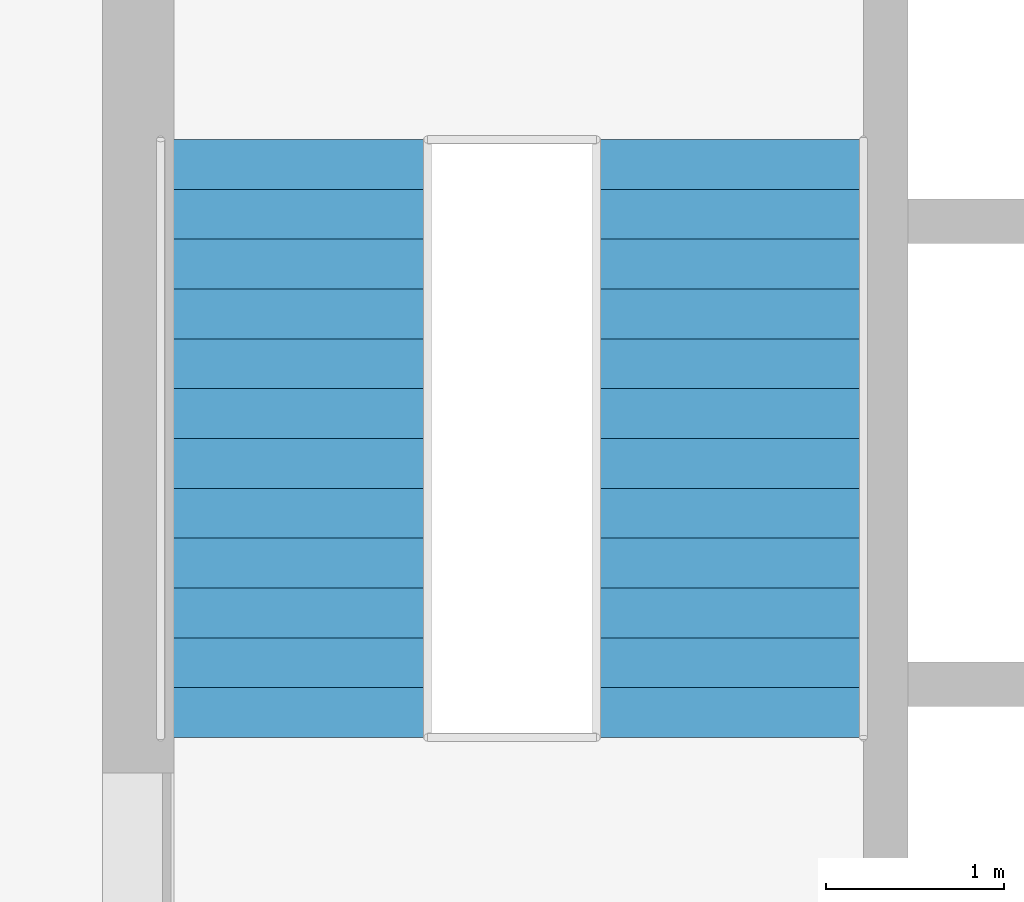
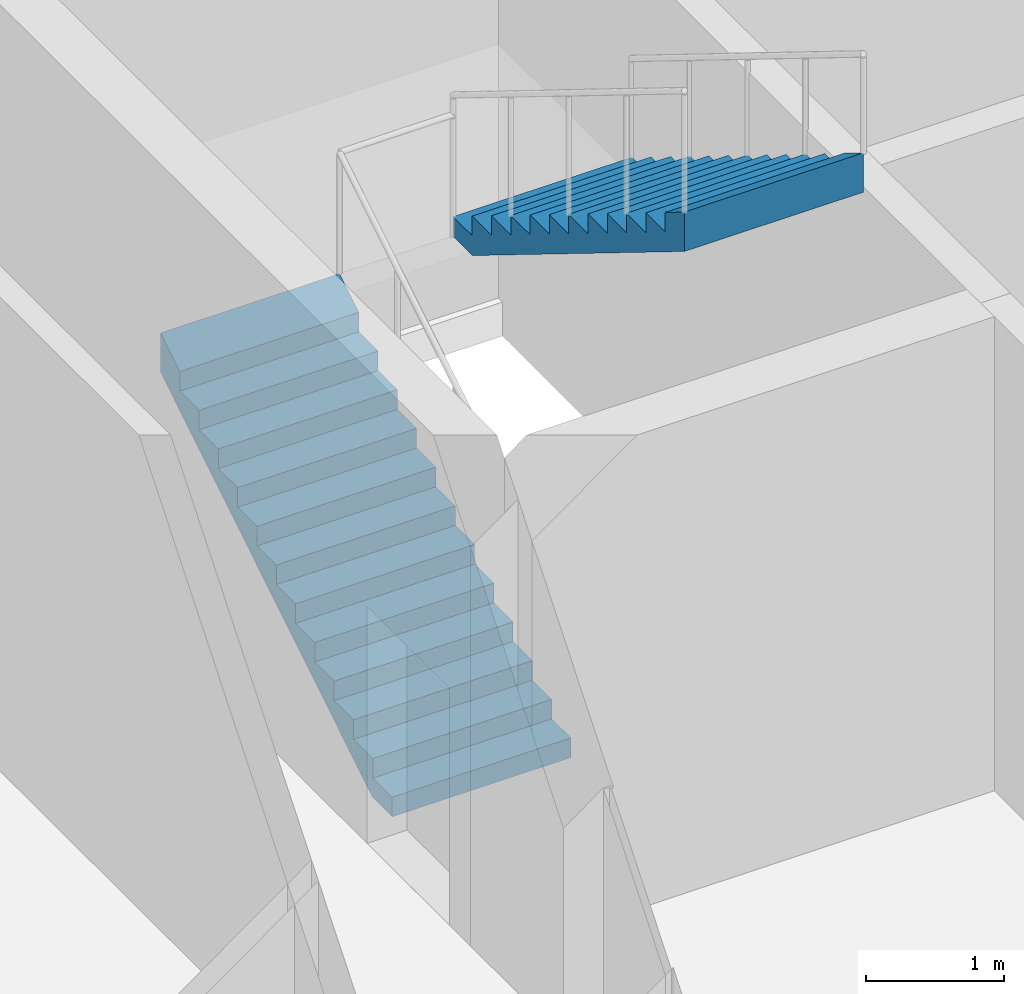
# One storey, part 10 of 13: 2 stair flights, 1 element without a shape of its own.
"""IFC4 building model written with IfcOpenShell, lengths in metres."""

from ifc_helpers import new_model, si_unit, direction, frame, origin, place, context, subcontext, project, spatial, triangles, material, type_object, element, aggregate, save


model = new_model("IFC4")

# Units and contexts
model_context = context("Model", 3, precision=1e-05, world=origin(), true_north=direction((0.0, 1.0)))
body_context = subcontext(model_context, "Body", "Model", "MODEL_VIEW")
ifc_project = project(units=[si_unit("LENGTHUNIT", "METRE"), si_unit("AREAUNIT", "SQUARE_METRE"), si_unit("VOLUMEUNIT", "CUBIC_METRE"), si_unit("PLANEANGLEUNIT", "RADIAN"), si_unit("MASSUNIT", "GRAM", prefix="KILO")], contexts=[model_context])

# Site, building, storey
site_placement = place(None, origin())
site = spatial("IfcSite", under=ifc_project, at=site_placement, CompositionType="ELEMENT")
building_placement = place(site_placement, origin())
building = spatial("IfcBuilding", under=site, at=building_placement, Name="Ludao Terraces", CompositionType="ELEMENT")
storey_placement = place(building_placement, frame((0.0, 0.0, 241.5)))
storey = spatial("IfcBuildingStorey", under=building, at=storey_placement, Name="L66", CompositionType="ELEMENT", Elevation=241.5)

# Stair, stair flights
ifc_material = material(Name="Concrete C40", Category="concrete")
stair_type = type_object("IfcStairType", Name="INT Stair", PredefinedType="HALF_TURN_STAIR", material=ifc_material)
stair_placement = place(storey_placement, origin())
stair = element("IfcStair", 1, at=stair_placement, inside=storey, type_object=stair_type, Name="EXIT STAIR 1", PredefinedType="HALF_TURN_STAIR")
stair_flight_type = type_object("IfcStairFlightType", Name="INT Stair flight", PredefinedType="STRAIGHT", material=ifc_material)
stair_flight_1_placement = place(storey_placement, frame((76.125, 79.0, 0.0), z_axis=(0.0, 0.0, 1.0), x_axis=(0.0, 1.0, 0.0)))
stair_flight_1 = element("IfcStairFlight", 2, at=stair_flight_1_placement, type_object=stair_flight_type, Name="ST1 flight 1", NumberOfRisers=13, NumberOfTreads=12, PredefinedType="STRAIGHT", RiserHeight=0.173077, TreadLength=0.28, context=body_context, shape_type="Tessellation", body=[
    triangles([(0.0, -0.75, 0.0), (0.0, -0.5, 0.0), (0.0, -0.25, 0.0), (0.0, 0.0, 0.0), (0.0, 0.25, 0.0), (0.0, 0.5, 0.0), (0.0, 0.75, 0.0), (0.0, -0.75, 0.173095703125), (0.0, -0.5, 0.173095703125), (0.0, -0.25, 0.173095703125), (0.0, 0.0, 0.173095703125), (0.0, 0.25, 0.173095703125), (0.0, 0.5, 0.173095703125), (0.0, 0.75, 0.173095703125), (0.280029296875, -0.75, 0.173095703125), (0.280029296875, -0.5, 0.173095703125), (0.280029296875, -0.25, 0.173095703125), (0.280029296875, 0.0, 0.173095703125), (0.280029296875, 0.25, 0.173095703125), (0.280029296875, 0.5, 0.173095703125), (0.280029296875, 0.75, 0.173095703125), (0.280029296875, -0.75, 0.34619140625), (0.280029296875, -0.5, 0.34619140625), (0.280029296875, -0.25, 0.34619140625), (0.280029296875, 0.0, 0.34619140625), (0.280029296875, 0.25, 0.34619140625), (0.280029296875, 0.5, 0.34619140625), (0.280029296875, 0.75, 0.34619140625), (0.56005859375, -0.75, 0.34619140625), (0.56005859375, -0.5, 0.34619140625), (0.56005859375, -0.25, 0.34619140625), (0.56005859375, 0.0, 0.34619140625), (0.56005859375, 0.25, 0.34619140625), (0.56005859375, 0.5, 0.34619140625), (0.56005859375, 0.75, 0.34619140625), (0.56005859375, -0.75, 0.519287109375), (0.56005859375, -0.5, 0.519287109375), (0.56005859375, -0.25, 0.519287109375), (0.56005859375, 0.0, 0.519287109375), (0.56005859375, 0.25, 0.519287109375), (0.56005859375, 0.5, 0.519287109375), (0.56005859375, 0.75, 0.519287109375), (0.840087890625, -0.75, 0.519287109375), (0.840087890625, -0.5, 0.519287109375), (0.840087890625, -0.25, 0.519287109375), (0.840087890625, 0.0, 0.519287109375), (0.840087890625, 0.25, 0.519287109375), (0.840087890625, 0.5, 0.519287109375), (0.840087890625, 0.75, 0.519287109375), (0.840087890625, -0.75, 0.6923828125), (0.840087890625, -0.5, 0.6923828125), (0.840087890625, -0.25, 0.6923828125), (0.840087890625, 0.0, 0.6923828125), (0.840087890625, 0.25, 0.6923828125), (0.840087890625, 0.5, 0.6923828125), (0.840087890625, 0.75, 0.6923828125), (1.1201171875, -0.75, 0.6923828125), (1.1201171875, -0.5, 0.6923828125), (1.1201171875, -0.25, 0.6923828125), (1.1201171875, 0.0, 0.6923828125), (1.1201171875, 0.25, 0.6923828125), (1.1201171875, 0.5, 0.6923828125), (1.1201171875, 0.75, 0.6923828125), (1.1201171875, -0.75, 0.865478515625), (1.1201171875, -0.5, 0.865478515625), (1.1201171875, -0.25, 0.865478515625), (1.1201171875, 0.0, 0.865478515625), (1.1201171875, 0.25, 0.865478515625), (1.1201171875, 0.5, 0.865478515625), (1.1201171875, 0.75, 0.865478515625), (1.39990234375, -0.75, 0.865478515625), (1.39990234375, -0.5, 0.865478515625), (1.39990234375, -0.25, 0.865478515625), (1.39990234375, 0.0, 0.865478515625), (1.39990234375, 0.25, 0.865478515625), (1.39990234375, 0.5, 0.865478515625), (1.39990234375, 0.75, 0.865478515625), (1.39990234375, -0.75, 1.03857421875), (1.39990234375, -0.5, 1.03857421875), (1.39990234375, -0.25, 1.03857421875), (1.39990234375, 0.0, 1.03857421875), (1.39990234375, 0.25, 1.03857421875), (1.39990234375, 0.5, 1.03857421875), (1.39990234375, 0.75, 1.03857421875), (1.679931640625, -0.75, 1.03857421875), (1.679931640625, -0.5, 1.03857421875), (1.679931640625, -0.25, 1.03857421875), (1.679931640625, 0.0, 1.03857421875), (1.679931640625, 0.25, 1.03857421875), (1.679931640625, 0.5, 1.03857421875), (1.679931640625, 0.75, 1.03857421875), (1.679931640625, -0.75, 1.21142578125), (1.679931640625, -0.5, 1.21142578125), (1.679931640625, -0.25, 1.21142578125), (1.679931640625, 0.0, 1.21142578125), (1.679931640625, 0.25, 1.21142578125), (1.679931640625, 0.5, 1.21142578125), (1.679931640625, 0.75, 1.21142578125), (1.9599609375, -0.75, 1.21142578125), (1.9599609375, -0.5, 1.21142578125), (1.9599609375, -0.25, 1.21142578125), (1.9599609375, 0.0, 1.21142578125), (1.9599609375, 0.25, 1.21142578125), (1.9599609375, 0.5, 1.21142578125), (1.9599609375, 0.75, 1.21142578125), (1.9599609375, -0.75, 1.384521484375), (1.9599609375, -0.5, 1.384521484375), (1.9599609375, -0.25, 1.384521484375), (1.9599609375, 0.0, 1.384521484375), (1.9599609375, 0.25, 1.384521484375), (1.9599609375, 0.5, 1.384521484375), (1.9599609375, 0.75, 1.384521484375), (2.239990234375, -0.75, 1.384521484375), (2.239990234375, -0.5, 1.384521484375), (2.239990234375, -0.25, 1.384521484375), (2.239990234375, 0.0, 1.384521484375), (2.239990234375, 0.25, 1.384521484375), (2.239990234375, 0.5, 1.384521484375), (2.239990234375, 0.75, 1.384521484375), (2.239990234375, -0.75, 1.5576171875), (2.239990234375, -0.5, 1.5576171875), (2.239990234375, -0.25, 1.5576171875), (2.239990234375, 0.0, 1.5576171875), (2.239990234375, 0.25, 1.5576171875), (2.239990234375, 0.5, 1.5576171875), (2.239990234375, 0.75, 1.5576171875), (2.52001953125, -0.75, 1.5576171875), (2.52001953125, -0.5, 1.5576171875), (2.52001953125, -0.25, 1.5576171875), (2.52001953125, 0.0, 1.5576171875), (2.52001953125, 0.25, 1.5576171875), (2.52001953125, 0.5, 1.5576171875), (2.52001953125, 0.75, 1.5576171875), (2.52001953125, -0.75, 1.730712890625), (2.52001953125, -0.5, 1.730712890625), (2.52001953125, -0.25, 1.730712890625), (2.52001953125, 0.0, 1.730712890625), (2.52001953125, 0.25, 1.730712890625), (2.52001953125, 0.5, 1.730712890625), (2.52001953125, 0.75, 1.730712890625), (2.800048828125, -0.75, 1.730712890625), (2.800048828125, -0.5, 1.730712890625), (2.800048828125, -0.25, 1.730712890625), (2.800048828125, 0.0, 1.730712890625), (2.800048828125, 0.25, 1.730712890625), (2.800048828125, 0.5, 1.730712890625), (2.800048828125, 0.75, 1.730712890625), (2.800048828125, -0.75, 1.90380859375), (2.800048828125, -0.5, 1.90380859375), (2.800048828125, -0.25, 1.90380859375), (2.800048828125, 0.0, 1.90380859375), (2.800048828125, 0.25, 1.90380859375), (2.800048828125, 0.5, 1.90380859375), (2.800048828125, 0.75, 1.90380859375), (3.080078125, -0.75, 1.90380859375), (3.080078125, -0.5, 1.90380859375), (3.080078125, -0.25, 1.90380859375), (3.080078125, 0.0, 1.90380859375), (3.080078125, 0.25, 1.90380859375), (3.080078125, 0.5, 1.90380859375), (3.080078125, 0.75, 1.90380859375), (3.080078125, -0.75, 2.076904296875), (3.080078125, -0.5, 2.076904296875), (3.080078125, -0.25, 2.076904296875), (3.080078125, 0.0, 2.076904296875), (3.080078125, 0.25, 2.076904296875), (3.080078125, 0.5, 2.076904296875), (3.080078125, 0.75, 2.076904296875), (3.360107421875, -0.75, 2.25), (3.360107421875, -0.5, 2.25), (3.360107421875, -0.25, 2.25), (3.360107421875, 0.0, 2.25), (3.360107421875, 0.25, 2.25), (3.360107421875, 0.5, 2.25), (3.360107421875, 0.75, 2.25), (3.360107421875, -0.75, 1.900634765625), (3.360107421875, -0.5, 1.900634765625), (3.360107421875, -0.25, 1.900634765625), (3.360107421875, 0.0, 1.900634765625), (3.360107421875, 0.25, 1.900634765625), (3.360107421875, 0.5, 1.900634765625), (3.360107421875, 0.75, 1.900634765625), (0.28515625, -0.75, 0.0), (0.28515625, -0.5, 0.0), (0.28515625, -0.25, 0.0), (0.28515625, 0.0, 0.0), (0.28515625, 0.25, 0.0), (0.28515625, 0.5, 0.0), (0.28515625, 0.75, 0.0)], [[1, 183, 176], [7, 182, 189], [176, 169, 162], [182, 168, 175], [176, 162, 155], [182, 161, 168], [176, 155, 148], [182, 154, 161], [176, 148, 141], [182, 147, 154], [141, 134, 127], [147, 133, 140], [176, 141, 127], [182, 133, 147], [127, 120, 113], [133, 119, 126], [176, 127, 113], [182, 119, 133], [113, 106, 99], [119, 105, 112], [176, 113, 99], [182, 105, 119], [1, 176, 99], [7, 105, 182], [99, 92, 85], [105, 91, 98], [85, 78, 71], [91, 77, 84], [99, 85, 71], [105, 77, 91], [71, 64, 57], [77, 63, 70], [99, 71, 57], [105, 63, 77], [57, 50, 43], [63, 49, 56], [99, 57, 43], [105, 49, 63], [43, 36, 29], [49, 35, 42], [99, 43, 29], [105, 35, 49], [29, 22, 15], [35, 21, 28], [99, 29, 15], [105, 21, 35], [1, 99, 15], [7, 21, 105], [15, 8, 1], [21, 7, 14], [1, 9, 2], [1, 8, 9], [2, 10, 3], [2, 9, 10], [3, 11, 4], [3, 10, 11], [4, 12, 5], [4, 11, 12], [5, 13, 6], [5, 12, 13], [6, 14, 7], [6, 13, 14], [8, 16, 9], [8, 15, 16], [9, 17, 10], [9, 16, 17], [10, 18, 11], [10, 17, 18], [11, 19, 12], [11, 18, 19], [12, 20, 13], [12, 19, 20], [13, 21, 14], [13, 20, 21], [15, 23, 16], [15, 22, 23], [16, 24, 17], [16, 23, 24], [17, 25, 18], [17, 24, 25], [18, 26, 19], [18, 25, 26], [19, 27, 20], [19, 26, 27], [20, 28, 21], [20, 27, 28], [22, 30, 23], [22, 29, 30], [23, 31, 24], [23, 30, 31], [24, 32, 25], [24, 31, 32], [25, 33, 26], [25, 32, 33], [26, 34, 27], [26, 33, 34], [27, 35, 28], [27, 34, 35], [29, 37, 30], [29, 36, 37], [30, 38, 31], [30, 37, 38], [31, 39, 32], [31, 38, 39], [32, 40, 33], [32, 39, 40], [33, 41, 34], [33, 40, 41], [34, 42, 35], [34, 41, 42], [36, 44, 37], [36, 43, 44], [37, 45, 38], [37, 44, 45], [38, 46, 39], [38, 45, 46], [39, 47, 40], [39, 46, 47], [40, 48, 41], [40, 47, 48], [41, 49, 42], [41, 48, 49], [43, 51, 44], [43, 50, 51], [44, 52, 45], [44, 51, 52], [45, 53, 46], [45, 52, 53], [46, 54, 47], [46, 53, 54], [47, 55, 48], [47, 54, 55], [48, 56, 49], [48, 55, 56], [50, 58, 51], [50, 57, 58], [51, 59, 52], [51, 58, 59], [52, 60, 53], [52, 59, 60], [53, 61, 54], [53, 60, 61], [54, 62, 55], [54, 61, 62], [55, 63, 56], [55, 62, 63], [57, 65, 58], [57, 64, 65], [58, 66, 59], [58, 65, 66], [59, 67, 60], [59, 66, 67], [60, 68, 61], [60, 67, 68], [61, 69, 62], [61, 68, 69], [62, 70, 63], [62, 69, 70], [64, 72, 65], [64, 71, 72], [65, 73, 66], [65, 72, 73], [66, 74, 67], [66, 73, 74], [67, 75, 68], [67, 74, 75], [68, 76, 69], [68, 75, 76], [69, 77, 70], [69, 76, 77], [71, 79, 72], [71, 78, 79], [72, 80, 73], [72, 79, 80], [73, 81, 74], [73, 80, 81], [74, 82, 75], [74, 81, 82], [75, 83, 76], [75, 82, 83], [76, 84, 77], [76, 83, 84], [78, 86, 79], [78, 85, 86], [79, 87, 80], [79, 86, 87], [80, 88, 81], [80, 87, 88], [81, 89, 82], [81, 88, 89], [82, 90, 83], [82, 89, 90], [83, 91, 84], [83, 90, 91], [85, 93, 86], [85, 92, 93], [86, 94, 87], [86, 93, 94], [87, 95, 88], [87, 94, 95], [88, 96, 89], [88, 95, 96], [89, 97, 90], [89, 96, 97], [90, 98, 91], [90, 97, 98], [92, 100, 93], [92, 99, 100], [93, 101, 94], [93, 100, 101], [94, 102, 95], [94, 101, 102], [95, 103, 96], [95, 102, 103], [96, 104, 97], [96, 103, 104], [97, 105, 98], [97, 104, 105], [99, 107, 100], [99, 106, 107], [100, 108, 101], [100, 107, 108], [101, 109, 102], [101, 108, 109], [102, 110, 103], [102, 109, 110], [103, 111, 104], [103, 110, 111], [104, 112, 105], [104, 111, 112], [106, 114, 107], [106, 113, 114], [107, 115, 108], [107, 114, 115], [108, 116, 109], [108, 115, 116], [109, 117, 110], [109, 116, 117], [110, 118, 111], [110, 117, 118], [111, 119, 112], [111, 118, 119], [113, 121, 114], [113, 120, 121], [114, 122, 115], [114, 121, 122], [115, 123, 116], [115, 122, 123], [116, 124, 117], [116, 123, 124], [117, 125, 118], [117, 124, 125], [118, 126, 119], [118, 125, 126], [120, 128, 121], [120, 127, 128], [121, 129, 122], [121, 128, 129], [122, 130, 123], [122, 129, 130], [123, 131, 124], [123, 130, 131], [124, 132, 125], [124, 131, 132], [125, 133, 126], [125, 132, 133], [127, 135, 128], [127, 134, 135], [128, 136, 129], [128, 135, 136], [129, 137, 130], [129, 136, 137], [130, 138, 131], [130, 137, 138], [131, 139, 132], [131, 138, 139], [132, 140, 133], [132, 139, 140], [134, 142, 135], [134, 141, 142], [135, 143, 136], [135, 142, 143], [136, 144, 137], [136, 143, 144], [137, 145, 138], [137, 144, 145], [138, 146, 139], [138, 145, 146], [139, 147, 140], [139, 146, 147], [141, 149, 142], [141, 148, 149], [142, 150, 143], [142, 149, 150], [143, 151, 144], [143, 150, 151], [144, 152, 145], [144, 151, 152], [145, 153, 146], [145, 152, 153], [146, 154, 147], [146, 153, 154], [148, 156, 149], [148, 155, 156], [149, 157, 150], [149, 156, 157], [150, 158, 151], [150, 157, 158], [151, 159, 152], [151, 158, 159], [152, 160, 153], [152, 159, 160], [153, 161, 154], [153, 160, 161], [155, 163, 156], [155, 162, 163], [156, 164, 157], [156, 163, 164], [157, 165, 158], [157, 164, 165], [158, 166, 159], [158, 165, 166], [159, 167, 160], [159, 166, 167], [160, 168, 161], [160, 167, 168], [162, 170, 163], [162, 169, 170], [163, 171, 164], [163, 170, 171], [164, 172, 165], [164, 171, 172], [165, 173, 166], [165, 172, 173], [166, 174, 167], [166, 173, 174], [167, 175, 168], [167, 174, 175], [169, 177, 170], [169, 176, 177], [170, 178, 171], [170, 177, 178], [171, 179, 172], [171, 178, 179], [172, 180, 173], [172, 179, 180], [173, 181, 174], [173, 180, 181], [174, 182, 175], [174, 181, 182], [176, 184, 177], [176, 183, 184], [177, 185, 178], [177, 184, 185], [178, 186, 179], [178, 185, 186], [179, 187, 180], [179, 186, 187], [180, 188, 181], [180, 187, 188], [181, 189, 182], [181, 188, 189], [183, 2, 184], [183, 1, 2], [184, 3, 185], [184, 2, 3], [185, 4, 186], [185, 3, 4], [186, 5, 187], [186, 4, 5], [187, 6, 188], [187, 5, 6], [188, 7, 189], [188, 6, 7]], closed=True),
])
stair_flight_2_placement = place(storey_placement, frame((78.574951171875, 82.360107421875, 2.25), z_axis=(0.0, 0.0, 1.0), x_axis=(0.0, -1.0, 0.0)))
stair_flight_2 = element("IfcStairFlight", 3, at=stair_flight_2_placement, type_object=stair_flight_type, Name="ST1 flight 2", NumberOfRisers=13, NumberOfTreads=12, PredefinedType="STRAIGHT", RiserHeight=0.173077, TreadLength=0.28, context=body_context, shape_type="Tessellation", body=[
    triangles([(0.0, -0.75, 0.0), (0.0, -0.5, 0.0), (0.0, -0.25, 0.0), (0.0, 0.0, 0.0), (0.0, 0.25, 0.0), (0.0, 0.5, 0.0), (0.0, 0.75, 0.0), (0.0, -0.75, 0.173095703125), (0.0, -0.5, 0.173095703125), (0.0, -0.25, 0.173095703125), (0.0, 0.0, 0.173095703125), (0.0, 0.25, 0.173095703125), (0.0, 0.5, 0.173095703125), (0.0, 0.75, 0.173095703125), (0.280029296875, -0.75, 0.173095703125), (0.280029296875, -0.5, 0.173095703125), (0.280029296875, -0.25, 0.173095703125), (0.280029296875, 0.0, 0.173095703125), (0.280029296875, 0.25, 0.173095703125), (0.280029296875, 0.5, 0.173095703125), (0.280029296875, 0.75, 0.173095703125), (0.280029296875, -0.75, 0.34619140625), (0.280029296875, -0.5, 0.34619140625), (0.280029296875, -0.25, 0.34619140625), (0.280029296875, 0.0, 0.34619140625), (0.280029296875, 0.25, 0.34619140625), (0.280029296875, 0.5, 0.34619140625), (0.280029296875, 0.75, 0.34619140625), (0.56005859375, -0.75, 0.34619140625), (0.56005859375, -0.5, 0.34619140625), (0.56005859375, -0.25, 0.34619140625), (0.56005859375, 0.0, 0.34619140625), (0.56005859375, 0.25, 0.34619140625), (0.56005859375, 0.5, 0.34619140625), (0.56005859375, 0.75, 0.34619140625), (0.56005859375, -0.75, 0.519287109375), (0.56005859375, -0.5, 0.519287109375), (0.56005859375, -0.25, 0.519287109375), (0.56005859375, 0.0, 0.519287109375), (0.56005859375, 0.25, 0.519287109375), (0.56005859375, 0.5, 0.519287109375), (0.56005859375, 0.75, 0.519287109375), (0.840087890625, -0.75, 0.519287109375), (0.840087890625, -0.5, 0.519287109375), (0.840087890625, -0.25, 0.519287109375), (0.840087890625, 0.0, 0.519287109375), (0.840087890625, 0.25, 0.519287109375), (0.840087890625, 0.5, 0.519287109375), (0.840087890625, 0.75, 0.519287109375), (0.840087890625, -0.75, 0.6923828125), (0.840087890625, -0.5, 0.6923828125), (0.840087890625, -0.25, 0.6923828125), (0.840087890625, 0.0, 0.6923828125), (0.840087890625, 0.25, 0.6923828125), (0.840087890625, 0.5, 0.6923828125), (0.840087890625, 0.75, 0.6923828125), (1.1201171875, -0.75, 0.6923828125), (1.1201171875, -0.5, 0.6923828125), (1.1201171875, -0.25, 0.6923828125), (1.1201171875, 0.0, 0.6923828125), (1.1201171875, 0.25, 0.6923828125), (1.1201171875, 0.5, 0.6923828125), (1.1201171875, 0.75, 0.6923828125), (1.1201171875, -0.75, 0.865478515625), (1.1201171875, -0.5, 0.865478515625), (1.1201171875, -0.25, 0.865478515625), (1.1201171875, 0.0, 0.865478515625), (1.1201171875, 0.25, 0.865478515625), (1.1201171875, 0.5, 0.865478515625), (1.1201171875, 0.75, 0.865478515625), (1.39990234375, -0.75, 0.865478515625), (1.39990234375, -0.5, 0.865478515625), (1.39990234375, -0.25, 0.865478515625), (1.39990234375, 0.0, 0.865478515625), (1.39990234375, 0.25, 0.865478515625), (1.39990234375, 0.5, 0.865478515625), (1.39990234375, 0.75, 0.865478515625), (1.39990234375, -0.75, 1.03857421875), (1.39990234375, -0.5, 1.03857421875), (1.39990234375, -0.25, 1.03857421875), (1.39990234375, 0.0, 1.03857421875), (1.39990234375, 0.25, 1.03857421875), (1.39990234375, 0.5, 1.03857421875), (1.39990234375, 0.75, 1.03857421875), (1.679931640625, -0.75, 1.03857421875), (1.679931640625, -0.5, 1.03857421875), (1.679931640625, -0.25, 1.03857421875), (1.679931640625, 0.0, 1.03857421875), (1.679931640625, 0.25, 1.03857421875), (1.679931640625, 0.5, 1.03857421875), (1.679931640625, 0.75, 1.03857421875), (1.679931640625, -0.75, 1.21142578125), (1.679931640625, -0.5, 1.21142578125), (1.679931640625, -0.25, 1.21142578125), (1.679931640625, 0.0, 1.21142578125), (1.679931640625, 0.25, 1.21142578125), (1.679931640625, 0.5, 1.21142578125), (1.679931640625, 0.75, 1.21142578125), (1.9599609375, -0.75, 1.21142578125), (1.9599609375, -0.5, 1.21142578125), (1.9599609375, -0.25, 1.21142578125), (1.9599609375, 0.0, 1.21142578125), (1.9599609375, 0.25, 1.21142578125), (1.9599609375, 0.5, 1.21142578125), (1.9599609375, 0.75, 1.21142578125), (1.9599609375, -0.75, 1.384521484375), (1.9599609375, -0.5, 1.384521484375), (1.9599609375, -0.25, 1.384521484375), (1.9599609375, 0.0, 1.384521484375), (1.9599609375, 0.25, 1.384521484375), (1.9599609375, 0.5, 1.384521484375), (1.9599609375, 0.75, 1.384521484375), (2.239990234375, -0.75, 1.384521484375), (2.239990234375, -0.5, 1.384521484375), (2.239990234375, -0.25, 1.384521484375), (2.239990234375, 0.0, 1.384521484375), (2.239990234375, 0.25, 1.384521484375), (2.239990234375, 0.5, 1.384521484375), (2.239990234375, 0.75, 1.384521484375), (2.239990234375, -0.75, 1.5576171875), (2.239990234375, -0.5, 1.5576171875), (2.239990234375, -0.25, 1.5576171875), (2.239990234375, 0.0, 1.5576171875), (2.239990234375, 0.25, 1.5576171875), (2.239990234375, 0.5, 1.5576171875), (2.239990234375, 0.75, 1.5576171875), (2.52001953125, -0.75, 1.5576171875), (2.52001953125, -0.5, 1.5576171875), (2.52001953125, -0.25, 1.5576171875), (2.52001953125, 0.0, 1.5576171875), (2.52001953125, 0.25, 1.5576171875), (2.52001953125, 0.5, 1.5576171875), (2.52001953125, 0.75, 1.5576171875), (2.52001953125, -0.75, 1.730712890625), (2.52001953125, -0.5, 1.730712890625), (2.52001953125, -0.25, 1.730712890625), (2.52001953125, 0.0, 1.730712890625), (2.52001953125, 0.25, 1.730712890625), (2.52001953125, 0.5, 1.730712890625), (2.52001953125, 0.75, 1.730712890625), (2.800048828125, -0.75, 1.730712890625), (2.800048828125, -0.5, 1.730712890625), (2.800048828125, -0.25, 1.730712890625), (2.800048828125, 0.0, 1.730712890625), (2.800048828125, 0.25, 1.730712890625), (2.800048828125, 0.5, 1.730712890625), (2.800048828125, 0.75, 1.730712890625), (2.800048828125, -0.75, 1.90380859375), (2.800048828125, -0.5, 1.90380859375), (2.800048828125, -0.25, 1.90380859375), (2.800048828125, 0.0, 1.90380859375), (2.800048828125, 0.25, 1.90380859375), (2.800048828125, 0.5, 1.90380859375), (2.800048828125, 0.75, 1.90380859375), (3.080078125, -0.75, 1.90380859375), (3.080078125, -0.5, 1.90380859375), (3.080078125, -0.25, 1.90380859375), (3.080078125, 0.0, 1.90380859375), (3.080078125, 0.25, 1.90380859375), (3.080078125, 0.5, 1.90380859375), (3.080078125, 0.75, 1.90380859375), (3.080078125, -0.75, 2.076904296875), (3.080078125, -0.5, 2.076904296875), (3.080078125, -0.25, 2.076904296875), (3.080078125, 0.0, 2.076904296875), (3.080078125, 0.25, 2.076904296875), (3.080078125, 0.5, 2.076904296875), (3.080078125, 0.75, 2.076904296875), (3.360107421875, -0.75, 2.25), (3.360107421875, -0.5, 2.25), (3.360107421875, -0.25, 2.25), (3.360107421875, 0.0, 2.25), (3.360107421875, 0.25, 2.25), (3.360107421875, 0.5, 2.25), (3.360107421875, 0.75, 2.25), (3.360107421875, -0.75, 1.900634765625), (3.360107421875, -0.5, 1.900634765625), (3.360107421875, -0.25, 1.900634765625), (3.360107421875, 0.0, 1.900634765625), (3.360107421875, 0.25, 1.900634765625), (3.360107421875, 0.5, 1.900634765625), (3.360107421875, 0.75, 1.900634765625), (0.28515625, -0.75, 0.0), (0.28515625, -0.5, 0.0), (0.28515625, -0.25, 0.0), (0.28515625, 0.0, 0.0), (0.28515625, 0.25, 0.0), (0.28515625, 0.5, 0.0), (0.28515625, 0.75, 0.0)], [[1, 183, 176], [7, 182, 189], [176, 169, 162], [182, 168, 175], [176, 162, 155], [182, 161, 168], [176, 155, 148], [182, 154, 161], [176, 148, 141], [182, 147, 154], [141, 134, 127], [147, 133, 140], [176, 141, 127], [182, 133, 147], [127, 120, 113], [133, 119, 126], [176, 127, 113], [182, 119, 133], [113, 106, 99], [119, 105, 112], [176, 113, 99], [182, 105, 119], [1, 176, 99], [7, 105, 182], [99, 92, 85], [105, 91, 98], [85, 78, 71], [91, 77, 84], [99, 85, 71], [105, 77, 91], [71, 64, 57], [77, 63, 70], [99, 71, 57], [105, 63, 77], [57, 50, 43], [63, 49, 56], [99, 57, 43], [105, 49, 63], [43, 36, 29], [49, 35, 42], [99, 43, 29], [105, 35, 49], [29, 22, 15], [35, 21, 28], [99, 29, 15], [105, 21, 35], [1, 99, 15], [7, 21, 105], [15, 8, 1], [21, 7, 14], [1, 9, 2], [1, 8, 9], [2, 10, 3], [2, 9, 10], [3, 11, 4], [3, 10, 11], [4, 12, 5], [4, 11, 12], [5, 13, 6], [5, 12, 13], [6, 14, 7], [6, 13, 14], [8, 16, 9], [8, 15, 16], [9, 17, 10], [9, 16, 17], [10, 18, 11], [10, 17, 18], [11, 19, 12], [11, 18, 19], [12, 20, 13], [12, 19, 20], [13, 21, 14], [13, 20, 21], [15, 23, 16], [15, 22, 23], [16, 24, 17], [16, 23, 24], [17, 25, 18], [17, 24, 25], [18, 26, 19], [18, 25, 26], [19, 27, 20], [19, 26, 27], [20, 28, 21], [20, 27, 28], [22, 30, 23], [22, 29, 30], [23, 31, 24], [23, 30, 31], [24, 32, 25], [24, 31, 32], [25, 33, 26], [25, 32, 33], [26, 34, 27], [26, 33, 34], [27, 35, 28], [27, 34, 35], [29, 37, 30], [29, 36, 37], [30, 38, 31], [30, 37, 38], [31, 39, 32], [31, 38, 39], [32, 40, 33], [32, 39, 40], [33, 41, 34], [33, 40, 41], [34, 42, 35], [34, 41, 42], [36, 44, 37], [36, 43, 44], [37, 45, 38], [37, 44, 45], [38, 46, 39], [38, 45, 46], [39, 47, 40], [39, 46, 47], [40, 48, 41], [40, 47, 48], [41, 49, 42], [41, 48, 49], [43, 51, 44], [43, 50, 51], [44, 52, 45], [44, 51, 52], [45, 53, 46], [45, 52, 53], [46, 54, 47], [46, 53, 54], [47, 55, 48], [47, 54, 55], [48, 56, 49], [48, 55, 56], [50, 58, 51], [50, 57, 58], [51, 59, 52], [51, 58, 59], [52, 60, 53], [52, 59, 60], [53, 61, 54], [53, 60, 61], [54, 62, 55], [54, 61, 62], [55, 63, 56], [55, 62, 63], [57, 65, 58], [57, 64, 65], [58, 66, 59], [58, 65, 66], [59, 67, 60], [59, 66, 67], [60, 68, 61], [60, 67, 68], [61, 69, 62], [61, 68, 69], [62, 70, 63], [62, 69, 70], [64, 72, 65], [64, 71, 72], [65, 73, 66], [65, 72, 73], [66, 74, 67], [66, 73, 74], [67, 75, 68], [67, 74, 75], [68, 76, 69], [68, 75, 76], [69, 77, 70], [69, 76, 77], [71, 79, 72], [71, 78, 79], [72, 80, 73], [72, 79, 80], [73, 81, 74], [73, 80, 81], [74, 82, 75], [74, 81, 82], [75, 83, 76], [75, 82, 83], [76, 84, 77], [76, 83, 84], [78, 86, 79], [78, 85, 86], [79, 87, 80], [79, 86, 87], [80, 88, 81], [80, 87, 88], [81, 89, 82], [81, 88, 89], [82, 90, 83], [82, 89, 90], [83, 91, 84], [83, 90, 91], [85, 93, 86], [85, 92, 93], [86, 94, 87], [86, 93, 94], [87, 95, 88], [87, 94, 95], [88, 96, 89], [88, 95, 96], [89, 97, 90], [89, 96, 97], [90, 98, 91], [90, 97, 98], [92, 100, 93], [92, 99, 100], [93, 101, 94], [93, 100, 101], [94, 102, 95], [94, 101, 102], [95, 103, 96], [95, 102, 103], [96, 104, 97], [96, 103, 104], [97, 105, 98], [97, 104, 105], [99, 107, 100], [99, 106, 107], [100, 108, 101], [100, 107, 108], [101, 109, 102], [101, 108, 109], [102, 110, 103], [102, 109, 110], [103, 111, 104], [103, 110, 111], [104, 112, 105], [104, 111, 112], [106, 114, 107], [106, 113, 114], [107, 115, 108], [107, 114, 115], [108, 116, 109], [108, 115, 116], [109, 117, 110], [109, 116, 117], [110, 118, 111], [110, 117, 118], [111, 119, 112], [111, 118, 119], [113, 121, 114], [113, 120, 121], [114, 122, 115], [114, 121, 122], [115, 123, 116], [115, 122, 123], [116, 124, 117], [116, 123, 124], [117, 125, 118], [117, 124, 125], [118, 126, 119], [118, 125, 126], [120, 128, 121], [120, 127, 128], [121, 129, 122], [121, 128, 129], [122, 130, 123], [122, 129, 130], [123, 131, 124], [123, 130, 131], [124, 132, 125], [124, 131, 132], [125, 133, 126], [125, 132, 133], [127, 135, 128], [127, 134, 135], [128, 136, 129], [128, 135, 136], [129, 137, 130], [129, 136, 137], [130, 138, 131], [130, 137, 138], [131, 139, 132], [131, 138, 139], [132, 140, 133], [132, 139, 140], [134, 142, 135], [134, 141, 142], [135, 143, 136], [135, 142, 143], [136, 144, 137], [136, 143, 144], [137, 145, 138], [137, 144, 145], [138, 146, 139], [138, 145, 146], [139, 147, 140], [139, 146, 147], [141, 149, 142], [141, 148, 149], [142, 150, 143], [142, 149, 150], [143, 151, 144], [143, 150, 151], [144, 152, 145], [144, 151, 152], [145, 153, 146], [145, 152, 153], [146, 154, 147], [146, 153, 154], [148, 156, 149], [148, 155, 156], [149, 157, 150], [149, 156, 157], [150, 158, 151], [150, 157, 158], [151, 159, 152], [151, 158, 159], [152, 160, 153], [152, 159, 160], [153, 161, 154], [153, 160, 161], [155, 163, 156], [155, 162, 163], [156, 164, 157], [156, 163, 164], [157, 165, 158], [157, 164, 165], [158, 166, 159], [158, 165, 166], [159, 167, 160], [159, 166, 167], [160, 168, 161], [160, 167, 168], [162, 170, 163], [162, 169, 170], [163, 171, 164], [163, 170, 171], [164, 172, 165], [164, 171, 172], [165, 173, 166], [165, 172, 173], [166, 174, 167], [166, 173, 174], [167, 175, 168], [167, 174, 175], [169, 177, 170], [169, 176, 177], [170, 178, 171], [170, 177, 178], [171, 179, 172], [171, 178, 179], [172, 180, 173], [172, 179, 180], [173, 181, 174], [173, 180, 181], [174, 182, 175], [174, 181, 182], [176, 184, 177], [176, 183, 184], [177, 185, 178], [177, 184, 185], [178, 186, 179], [178, 185, 186], [179, 187, 180], [179, 186, 187], [180, 188, 181], [180, 187, 188], [181, 189, 182], [181, 188, 189], [183, 2, 184], [183, 1, 2], [184, 3, 185], [184, 2, 3], [185, 4, 186], [185, 3, 4], [186, 5, 187], [186, 4, 5], [187, 6, 188], [187, 5, 6], [188, 7, 189], [188, 6, 7]], closed=True),
])
aggregate(stair, [stair_flight_1, stair_flight_2])

save(model, "model.ifc")
